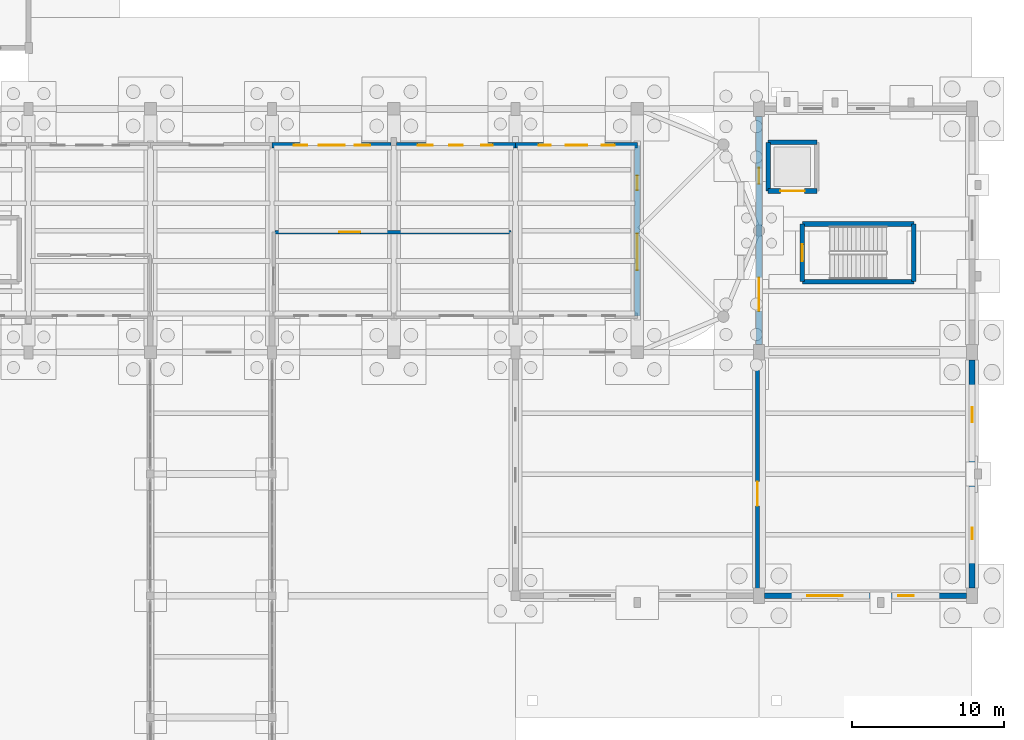
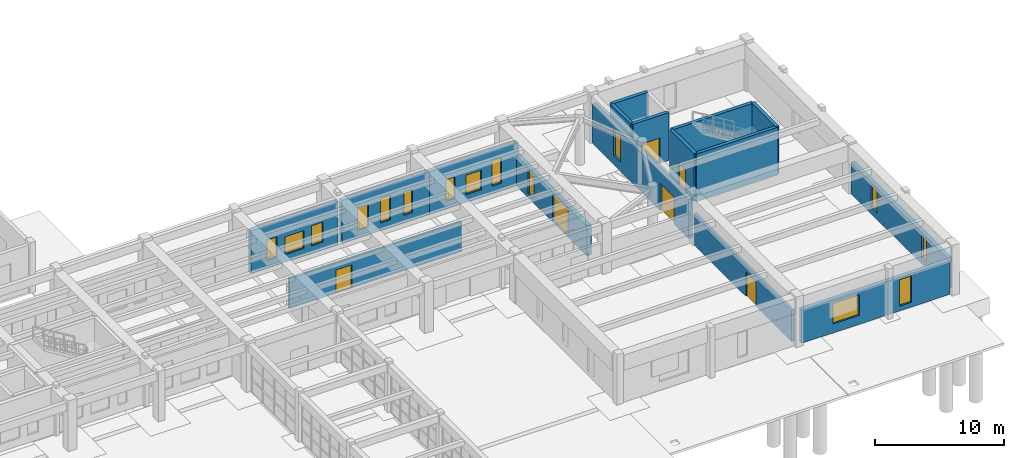
# One storey, part 53 of 68: 16 walls, 15 windows, 6 doors, 21 openings.
"""IFC4 building model written with IfcOpenShell, lengths in metres."""

import ifcopenshell
import ifcopenshell.guid

model = None  # the IFC model being written
_history = None  # IfcOwnerHistory: only IFC2X3 demands one
_inside = {}  # id of a spatial element -> (the spatial element, [elements in it])
_under = {}  # id of a project, library or spatial element -> (it, [spatial elements below it])
_declared = {}  # id of a project -> (the project, [libraries it declares])
_typed = {}  # id of a type object -> (the type object, [elements of that type])
_made_of = {}  # id of a material, layer set ... -> (it, [elements and type objects made of it])


def new_model(schema):
    """Start an empty IFC model of exactly this schema.

    Asked for "IFC4X3", IfcOpenShell would pick the latest addendum, in which some entities
    have other attributes; the version numbers below select the first issue.
    IFC2X3 requires an IfcOwnerHistory on every rooted entity: one is made here for all.
    """
    global model, _history
    if schema == "IFC4X3":
        model = ifcopenshell.file(schema_version=(4, 3, 0, 0))
    else:
        model = ifcopenshell.file(schema=schema)
    _inside.clear()
    _under.clear()
    _declared.clear()
    _typed.clear()
    _made_of.clear()
    _history = None
    if model.schema == "IFC2X3":
        org = make("IfcOrganization", Name="unknown")
        user = make(
            "IfcPersonAndOrganization",
            ThePerson=make("IfcPerson", FamilyName="unknown"),
            TheOrganization=org,
        )
        app = make(
            "IfcApplication",
            ApplicationDeveloper=org,
            Version="unknown",
            ApplicationFullName="unknown",
            ApplicationIdentifier="unknown",
        )
        _history = make(
            "IfcOwnerHistory",
            OwningUser=user,
            OwningApplication=app,
            ChangeAction="ADDED",
            CreationDate=0,
        )
    return model


def make(cls, **values):
    """One entity of the class cls with the attributes given. An attribute that is None is left unset."""
    return model.create_entity(
        cls, **{name: value for name, value in values.items() if value is not None}
    )


def rooted(cls, **values):
    """An entity with a GlobalId (a new one), such as an element, a storey or a relation."""
    return make(cls, GlobalId=ifcopenshell.guid.new(), OwnerHistory=_history, **values)


def si_unit(unit_type, name, prefix=None):
    """IfcSIUnit, for example si_unit("LENGTHUNIT", "METRE", prefix="MILLI")."""
    return make("IfcSIUnit", UnitType=unit_type, Prefix=prefix, Name=name)


def assignment(units):
    """IfcUnitAssignment: the units of a project."""
    return None if units is None else make("IfcUnitAssignment", Units=units)


def point(xyz):
    """IfcCartesianPoint."""
    return None if xyz is None else make("IfcCartesianPoint", Coordinates=xyz)


def direction(xyz):
    """IfcDirection."""
    return None if xyz is None else make("IfcDirection", DirectionRatios=xyz)


def frame(location, z_axis=None, x_axis=None):
    """IfcAxis2Placement3D, a coordinate frame: its origin and axes. An axis left out is left unset."""
    return make(
        "IfcAxis2Placement3D",
        Location=point(location),
        Axis=direction(z_axis),
        RefDirection=direction(x_axis),
    )


def frame_2d(location, x_axis=None):
    """IfcAxis2Placement2D, a coordinate frame in the plane: its origin and x axis."""
    return make(
        "IfcAxis2Placement2D", Location=point(location), RefDirection=direction(x_axis)
    )


def origin():
    """The frame at (0, 0, 0) with its axes left unset."""
    return frame((0.0, 0.0, 0.0))


def place(relative_to, where):
    """IfcLocalPlacement: puts the frame where relative to a parent placement (None: the world)."""
    return make(
        "IfcLocalPlacement", PlacementRelTo=relative_to, RelativePlacement=where
    )


def context(
    kind, dimensions, precision=None, world=None, true_north=None, identifier=None
):
    """IfcGeometricRepresentationContext, for example the 3D "Model" context."""
    return make(
        "IfcGeometricRepresentationContext",
        ContextIdentifier=identifier,
        ContextType=kind,
        CoordinateSpaceDimension=dimensions,
        Precision=precision,
        WorldCoordinateSystem=world,
        TrueNorth=true_north,
    )


def subcontext(parent, identifier, kind, view, scale=None):
    """IfcGeometricRepresentationSubContext, for example "Body" below "Model"."""
    return make(
        "IfcGeometricRepresentationSubContext",
        ContextIdentifier=identifier,
        ContextType=kind,
        ParentContext=parent,
        TargetScale=scale,
        TargetView=view,
    )


def project(units=None, contexts=None):
    """IfcProject with its units and contexts."""
    return rooted(
        "IfcProject",
        Name="project",
        RepresentationContexts=contexts,
        UnitsInContext=assignment(units),
    )


def spatial(cls, under=None, at=None, **own):
    """A site, building, storey or space (cls), placed at a placement, below another one or the project."""
    s = rooted(cls, ObjectPlacement=at, **own)
    if under is not None:
        _under.setdefault(under.id(), (under, []))[1].append(s)
    return s


def profile(cls, at=None, kind="AREA", **sizes):
    """A parametric profile (cls). Its sizes go by their IFC names, for example OverallWidth=200.0."""
    return make(cls, ProfileType=kind, Position=at, **sizes)


def rectangle(**sizes):
    """IfcRectangleProfileDef."""
    return profile("IfcRectangleProfileDef", **sizes)


def extrude(swept, where, along, depth):
    """IfcExtrudedAreaSolid: the profile swept, set in the frame where, extruded along a direction by depth."""
    return make(
        "IfcExtrudedAreaSolid",
        SweptArea=swept,
        Position=where,
        ExtrudedDirection=direction(along),
        Depth=depth,
    )


def shape(context_of_items, identifier, shape_type, items):
    """IfcShapeRepresentation: the items that make up one representation, for example the "Body"."""
    return make(
        "IfcShapeRepresentation",
        ContextOfItems=context_of_items,
        RepresentationIdentifier=identifier,
        RepresentationType=shape_type,
        Items=items,
    )


def material(Name=None, Category=None):
    """IfcMaterial."""
    return make("IfcMaterial", Name=Name, Category=Category)


def layer(
    of_material, thickness, ventilated=None, Name=None, Category=None, Priority=None
):
    """IfcMaterialLayer: one layer of a wall or slab, of a material (None: an air gap)."""
    return make(
        "IfcMaterialLayer",
        Material=of_material,
        LayerThickness=thickness,
        IsVentilated=ventilated,
        Name=Name,
        Category=Category,
        Priority=Priority,
    )


def layer_set(layers, Name=None):
    """IfcMaterialLayerSet."""
    return make("IfcMaterialLayerSet", MaterialLayers=layers, LayerSetName=Name)


def made_of(thing, what):
    """Note that an element or type object is made of a material, layer set ...; save() writes the relation."""
    if what is not None:
        _made_of.setdefault(what.id(), (what, []))[1].append(thing)
    return thing


def type_object(cls, material=None, **own):
    """A type object (cls), such as IfcWallType, which elements share."""
    return made_of(rooted(cls, **own), material)


def element(
    cls,
    number,
    at=None,
    inside=None,
    cuts=None,
    type_object=None,
    material=None,
    context=None,
    identifier="Body",
    shape_type=None,
    held_by="IfcProductDefinitionShape",
    body=None,
    shapes=None,
    **own,
):
    """One element of the class cls, such as IfcWall. Its Tag is "e" and its number.

    at: its placement. inside: the storey or other place that contains it. cuts: it is an
    opening in that element (IfcRelVoidsElement). A single representation is given by context,
    identifier, shape_type and body (its items); several are given by shapes. held_by: the class
    of the entity that holds the representations. save() writes the other relations.
    """
    e = rooted(cls, Tag="e%d" % number, ObjectPlacement=at, **own)
    if body is not None:
        shapes = [shape(context, identifier, shape_type, body)]
    if shapes is not None:
        e.Representation = make(held_by, Representations=shapes)
    if inside is not None:
        _inside.setdefault(inside.id(), (inside, []))[1].append(e)
    if cuts is not None:
        rooted(
            "IfcRelVoidsElement", RelatingBuildingElement=cuts, RelatedOpeningElement=e
        )
    if type_object is not None:
        _typed.setdefault(type_object.id(), (type_object, []))[1].append(e)
    return made_of(e, material)


def fill(opening, filler):
    """IfcRelFillsElement: the door or window that sits in an opening."""
    return rooted(
        "IfcRelFillsElement",
        RelatingOpeningElement=opening,
        RelatedBuildingElement=filler,
    )


def aggregate(whole, parts):
    """IfcRelAggregates: a whole, such as a stair, and the parts it consists of."""
    return rooted("IfcRelAggregates", RelatingObject=whole, RelatedObjects=parts)


def save(model, path):
    """Write the relations noted so far, then the file.

    IfcRelAggregates (storeys below a building ...), IfcRelContainedInSpatialStructure (elements
    in a storey), IfcRelDefinesByType, IfcRelAssociatesMaterial and IfcRelDeclares: one each for
    every whole, place, type object, material and project.
    """
    for whole, parts in _under.values():
        aggregate(whole, parts)
    for where, things in _inside.values():
        rooted(
            "IfcRelContainedInSpatialStructure",
            RelatedElements=things,
            RelatingStructure=where,
        )
    for kind, things in _typed.values():
        rooted("IfcRelDefinesByType", RelatedObjects=things, RelatingType=kind)
    for what, things in _made_of.values():
        rooted("IfcRelAssociatesMaterial", RelatedObjects=things, RelatingMaterial=what)
    for by, libraries in _declared.values():
        rooted("IfcRelDeclares", RelatingContext=by, RelatedDefinitions=libraries)
    model.write(path)


model = new_model("IFC4")

# Units and contexts
model_context = context("Model", 3, precision=1e-05, world=origin(), true_north=direction((0.0, 1.0)))
body_context = subcontext(model_context, "Body", "Model", "MODEL_VIEW")
ifc_project = project(units=[si_unit("LENGTHUNIT", "METRE"), si_unit("AREAUNIT", "SQUARE_METRE"), si_unit("VOLUMEUNIT", "CUBIC_METRE"), si_unit("PLANEANGLEUNIT", "RADIAN"), si_unit("MASSUNIT", "GRAM", prefix="KILO")], contexts=[model_context])

# Site, building, storey
site_placement = place(None, origin())
site = spatial("IfcSite", under=ifc_project, at=site_placement, CompositionType="ELEMENT")
building_placement = place(site_placement, origin())
building = spatial("IfcBuilding", under=site, at=building_placement, Name="Serraluz Foothill Cableway Terminal", CompositionType="ELEMENT")
storey_placement = place(building_placement, origin())
storey = spatial("IfcBuildingStorey", under=building, at=storey_placement, Name="L00", CompositionType="ELEMENT", Elevation=0.0)

# Wall, openings, windows
ifc_material_1 = material(Name="Dark clinker clay masonry brick (f'm 14 MPa)", Category="masonry")
ifc_layer_1 = layer(ifc_material_1, 0.3798828125, Name="Dark clinker clay masonry brick (f'm 14 MPa)", Category="masonry")
ifc_layer_set_1 = layer_set([ifc_layer_1], Name="Dark clinker clay masonry brick (f'm 14 MPa)")
wall_type_1 = type_object("IfcWallType", Name="TYP-WL-EXT-380", PredefinedType="STANDARD", material=ifc_layer_set_1)
wall_1_placement = place(storey_placement, frame((128.0, 69.60009765625, 0.0), z_axis=(0.0, 0.0, 1.0), x_axis=(1.0, 0.0, 0.0)))
wall_1 = element("IfcWall", 1, at=wall_1_placement, inside=storey, type_object=wall_type_1, Name="Exterior Masonry Wall EW-V1N-L00-128", PredefinedType="STANDARD", context=body_context, shape_type="SweptSolid", body=[
    extrude(rectangle(XDim=7.824951171875, YDim=0.3798828125, at=frame_2d((3.91259765625, 0.0))), origin(), (0.0, 0.0, 1.0), 4.050048828125),
])
opening_1_placement = place(wall_1_placement, frame((1.43798828125, 0.0, 0.719970703125)))
opening_1 = element("IfcOpeningElement", 2, at=opening_1_placement, cuts=wall_1, Name="Opening W-48", PredefinedType="OPENING", context=body_context, shape_type="SweptSolid", body=[
    extrude(rectangle(XDim=0.8798828125, YDim=1.949951171875, at=frame_2d((0.43994140625, 0.97509765625))), frame((0.0, 0.199951171875, 0.0), z_axis=(0.0, -1.0, 0.0), x_axis=(1.0, 0.0, 0.0)), (0.0, 0.0, 1.0), 0.39990234375),
])
opening_2_placement = place(wall_1_placement, frame((3.052001953125, 0.0, 0.719970703125)))
opening_2 = element("IfcOpeningElement", 3, at=opening_2_placement, cuts=wall_1, Name="Opening W-34", PredefinedType="OPENING", context=body_context, shape_type="SweptSolid", body=[
    extrude(rectangle(XDim=1.720947265625, YDim=1.699951171875, at=frame_2d((0.8603515625, 0.85009765625))), frame((0.0, 0.199951171875, 0.0), z_axis=(0.0, -1.0, 0.0), x_axis=(1.0, 0.0, 0.0)), (0.0, 0.0, 1.0), 0.39990234375),
])
opening_3_placement = place(wall_1_placement, frame((5.447021484375, 0.0, 0.719970703125)))
opening_3 = element("IfcOpeningElement", 4, at=opening_3_placement, cuts=wall_1, Name="Opening W-24", PredefinedType="OPENING", context=body_context, shape_type="SweptSolid", body=[
    extrude(rectangle(XDim=1.0, YDim=1.89990234375, at=frame_2d((0.5, 0.949951171875))), frame((0.0, 0.199951171875, 0.0), z_axis=(0.0, -1.0, 0.0), x_axis=(1.0, 0.0, 0.0)), (0.0, 0.0, 1.0), 0.39990234375),
])
ifc_material_2 = material(Name="Laminated low-E safety glass", Category="glass")
window_type_1 = type_object("IfcWindowType", Name="TYP-WN-088X195", PartitioningType="SINGLE_PANEL", PredefinedType="WINDOW", material=ifc_material_2)
window_1_placement = place(opening_1_placement, origin())
window_1 = element("IfcWindow", 5, at=window_1_placement, inside=storey, type_object=window_type_1, Name="Exterior Window EW-V1N-L00-128-WN1", OverallHeight=1.949951171875, OverallWidth=0.8798828125, PartitioningType="SINGLE_PANEL", PredefinedType="WINDOW", context=body_context, shape_type="SweptSolid", body=[
    extrude(rectangle(XDim=0.8798828125, YDim=1.949951171875, at=frame_2d((0.43994140625, 0.97509765625))), frame((0.0, 0.030029296875, 0.0), z_axis=(0.0, -1.0, 0.0), x_axis=(1.0, 0.0, 0.0)), (0.0, 0.0, 1.0), 0.06005859375),
])
fill(opening_1, window_1)
window_type_2 = type_object("IfcWindowType", Name="TYP-WN-100X190", PartitioningType="SINGLE_PANEL", PredefinedType="WINDOW", material=ifc_material_2)
window_2_placement = place(opening_3_placement, origin())
window_2 = element("IfcWindow", 6, at=window_2_placement, inside=storey, type_object=window_type_2, Name="Exterior Window EW-V1N-L00-128-WN3", OverallHeight=1.89990234375, OverallWidth=1.0, PartitioningType="SINGLE_PANEL", PredefinedType="WINDOW", context=body_context, shape_type="SweptSolid", body=[
    extrude(rectangle(XDim=1.0, YDim=1.89990234375, at=frame_2d((0.5, 0.949951171875))), frame((0.0, 0.030029296875, 0.0), z_axis=(0.0, -1.0, 0.0), x_axis=(1.0, 0.0, 0.0)), (0.0, 0.0, 1.0), 0.06005859375),
])
fill(opening_3, window_2)
window_type_3 = type_object("IfcWindowType", Name="TYP-WN-380X170", PartitioningType="TRIPLE_PANEL_VERTICAL", PredefinedType="WINDOW", material=ifc_material_2)
window_3_placement = place(opening_2_placement, origin())
window_3 = element("IfcWindow", 7, at=window_3_placement, inside=storey, type_object=window_type_3, Name="Exterior Window EW-V1N-L00-128-WN2", OverallHeight=1.699951171875, OverallWidth=1.720947265625, PartitioningType="SINGLE_PANEL", PredefinedType="WINDOW", context=body_context, shape_type="SweptSolid", body=[
    extrude(rectangle(XDim=1.720947265625, YDim=1.699951171875, at=frame_2d((0.8603515625, 0.85009765625))), frame((0.0, 0.030029296875, 0.0), z_axis=(0.0, -1.0, 0.0), x_axis=(1.0, 0.0, 0.0)), (0.0, 0.0, 1.0), 0.06005859375),
])
fill(opening_2, window_3)

wall_2_placement = place(storey_placement, frame((136.175048828125, 69.60009765625, 0.0), z_axis=(0.0, 0.0, 1.0), x_axis=(1.0, 0.0, 0.0)))
wall_2 = element("IfcWall", 8, at=wall_2_placement, inside=storey, type_object=wall_type_1, Name="Exterior Masonry Wall EW-V1N-L00-136", PredefinedType="STANDARD", context=body_context, shape_type="SweptSolid", body=[
    extrude(rectangle(XDim=7.824951171875, YDim=0.3798828125, at=frame_2d((3.91259765625, 0.0))), origin(), (0.0, 0.0, 1.0), 4.050048828125),
])
opening_4_placement = place(wall_2_placement, frame((1.387939453125, 0.0, 0.719970703125)))
opening_4 = element("IfcOpeningElement", 9, at=opening_4_placement, cuts=wall_2, Name="Opening W-49", PredefinedType="OPENING", context=body_context, shape_type="SweptSolid", body=[
    extrude(rectangle(XDim=0.97998046875, YDim=2.14990234375, at=frame_2d((0.489990234375, 1.074951171875))), frame((0.0, 0.199951171875, 0.0), z_axis=(0.0, -1.0, 0.0), x_axis=(1.0, 0.0, 0.0)), (0.0, 0.0, 1.0), 0.39990234375),
])
opening_5_placement = place(wall_2_placement, frame((3.46240234375, 0.0, 0.719970703125)))
opening_5 = element("IfcOpeningElement", 10, at=opening_5_placement, cuts=wall_2, Name="Opening W-37", PredefinedType="OPENING", context=body_context, shape_type="SweptSolid", body=[
    extrude(rectangle(XDim=0.89990234375, YDim=2.35009765625, at=frame_2d((0.449951171875, 1.175048828125))), frame((0.0, 0.199951171875, 0.0), z_axis=(0.0, -1.0, 0.0), x_axis=(1.0, 0.0, 0.0)), (0.0, 0.0, 1.0), 0.39990234375),
])
opening_6_placement = place(wall_2_placement, frame((5.572021484375, 0.0, 0.719970703125)))
opening_6 = element("IfcOpeningElement", 11, at=opening_6_placement, cuts=wall_2, Name="Opening W-01", PredefinedType="OPENING", context=body_context, shape_type="SweptSolid", body=[
    extrude(rectangle(XDim=0.75, YDim=2.199951171875, at=frame_2d((0.375, 1.10009765625))), frame((0.0, 0.199951171875, 0.0), z_axis=(0.0, -1.0, 0.0), x_axis=(1.0, 0.0, 0.0)), (0.0, 0.0, 1.0), 0.39990234375),
])
window_type_4 = type_object("IfcWindowType", Name="TYP-WN-075X220", PartitioningType="SINGLE_PANEL", PredefinedType="WINDOW", material=ifc_material_2)
window_4_placement = place(opening_6_placement, origin())
window_4 = element("IfcWindow", 12, at=window_4_placement, inside=storey, type_object=window_type_4, Name="Exterior Window EW-V1N-L00-136-WN3", OverallHeight=2.199951171875, OverallWidth=0.75, PartitioningType="SINGLE_PANEL", PredefinedType="WINDOW", context=body_context, shape_type="SweptSolid", body=[
    extrude(rectangle(XDim=0.75, YDim=2.199951171875, at=frame_2d((0.375, 1.10009765625))), frame((0.0, 0.030029296875, 0.0), z_axis=(0.0, -1.0, 0.0), x_axis=(1.0, 0.0, 0.0)), (0.0, 0.0, 1.0), 0.06005859375),
])
fill(opening_6, window_4)
window_type_5 = type_object("IfcWindowType", Name="TYP-WN-090X235", PartitioningType="SINGLE_PANEL", PredefinedType="WINDOW", material=ifc_material_2)
window_5_placement = place(opening_5_placement, origin())
window_5 = element("IfcWindow", 13, at=window_5_placement, inside=storey, type_object=window_type_5, Name="Exterior Window EW-V1N-L00-136-WN2", OverallHeight=2.35009765625, OverallWidth=0.89990234375, PartitioningType="SINGLE_PANEL", PredefinedType="WINDOW", context=body_context, shape_type="SweptSolid", body=[
    extrude(rectangle(XDim=0.89990234375, YDim=2.35009765625, at=frame_2d((0.449951171875, 1.175048828125))), frame((0.0, 0.030029296875, 0.0), z_axis=(0.0, -1.0, 0.0), x_axis=(1.0, 0.0, 0.0)), (0.0, 0.0, 1.0), 0.06005859375),
])
fill(opening_5, window_5)
window_type_6 = type_object("IfcWindowType", Name="TYP-WN-098X215", PartitioningType="SINGLE_PANEL", PredefinedType="WINDOW", material=ifc_material_2)
window_6_placement = place(opening_4_placement, origin())
window_6 = element("IfcWindow", 14, at=window_6_placement, inside=storey, type_object=window_type_6, Name="Exterior Window EW-V1N-L00-136-WN1", OverallHeight=2.14990234375, OverallWidth=0.97998046875, PartitioningType="SINGLE_PANEL", PredefinedType="WINDOW", context=body_context, shape_type="SweptSolid", body=[
    extrude(rectangle(XDim=0.97998046875, YDim=2.14990234375, at=frame_2d((0.489990234375, 1.074951171875))), frame((0.0, 0.030029296875, 0.0), z_axis=(0.0, -1.0, 0.0), x_axis=(1.0, 0.0, 0.0)), (0.0, 0.0, 1.0), 0.06005859375),
])
fill(opening_4, window_6)

wall_3_placement = place(storey_placement, frame((144.0, 69.60009765625, 0.0), z_axis=(0.0, 0.0, 1.0), x_axis=(1.0, 0.0, 0.0)))
wall_3 = element("IfcWall", 15, at=wall_3_placement, inside=storey, type_object=wall_type_1, Name="Exterior Masonry Wall EW-V1N-L00-144", PredefinedType="STANDARD", context=body_context, shape_type="SweptSolid", body=[
    extrude(rectangle(XDim=8.0, YDim=0.3798828125, at=frame_2d((4.0, 0.0))), origin(), (0.0, 0.0, 1.0), 4.050048828125),
])
opening_7_placement = place(wall_3_placement, frame((1.52001953125, 0.0, 0.719970703125)))
opening_7 = element("IfcOpeningElement", 16, at=opening_7_placement, cuts=wall_3, Name="Opening W-36", PredefinedType="OPENING", context=body_context, shape_type="SweptSolid", body=[
    extrude(rectangle(XDim=0.800048828125, YDim=2.050048828125, at=frame_2d((0.39990234375, 1.02490234375))), frame((0.0, 0.199951171875, 0.0), z_axis=(0.0, -1.0, 0.0), x_axis=(1.0, 0.0, 0.0)), (0.0, 0.0, 1.0), 0.39990234375),
])
opening_8_placement = place(wall_3_placement, frame((3.300048828125, 0.0, 0.719970703125)))
opening_8 = element("IfcOpeningElement", 17, at=opening_8_placement, cuts=wall_3, Name="Opening W-41", PredefinedType="OPENING", context=body_context, shape_type="SweptSolid", body=[
    extrude(rectangle(XDim=1.39990234375, YDim=1.85009765625, at=frame_2d((0.699951171875, 0.925048828125))), frame((0.0, 0.199951171875, 0.0), z_axis=(0.0, -1.0, 0.0), x_axis=(1.0, 0.0, 0.0)), (0.0, 0.0, 1.0), 0.39990234375),
])
opening_9_placement = place(wall_3_placement, frame((5.655029296875, 0.0, 0.719970703125)))
opening_9 = element("IfcOpeningElement", 18, at=opening_9_placement, cuts=wall_3, Name="Opening W-02", PredefinedType="OPENING", context=body_context, shape_type="SweptSolid", body=[
    extrude(rectangle(XDim=0.85009765625, YDim=2.39990234375, at=frame_2d((0.425048828125, 1.199951171875))), frame((0.0, 0.199951171875, 0.0), z_axis=(0.0, -1.0, 0.0), x_axis=(1.0, 0.0, 0.0)), (0.0, 0.0, 1.0), 0.39990234375),
])
window_type_7 = type_object("IfcWindowType", Name="TYP-WN-080X205", PartitioningType="SINGLE_PANEL", PredefinedType="WINDOW", material=ifc_material_2)
window_7_placement = place(opening_7_placement, origin())
window_7 = element("IfcWindow", 19, at=window_7_placement, inside=storey, type_object=window_type_7, Name="Exterior Window EW-V1N-L00-144-WN1", OverallHeight=2.050048828125, OverallWidth=0.800048828125, PartitioningType="SINGLE_PANEL", PredefinedType="WINDOW", context=body_context, shape_type="SweptSolid", body=[
    extrude(rectangle(XDim=0.800048828125, YDim=2.050048828125, at=frame_2d((0.39990234375, 1.02490234375))), frame((0.0, 0.030029296875, 0.0), z_axis=(0.0, -1.0, 0.0), x_axis=(1.0, 0.0, 0.0)), (0.0, 0.0, 1.0), 0.06005859375),
])
fill(opening_7, window_7)
window_type_8 = type_object("IfcWindowType", Name="TYP-WN-085X240", PartitioningType="SINGLE_PANEL", PredefinedType="WINDOW", material=ifc_material_2)
window_8_placement = place(opening_9_placement, origin())
window_8 = element("IfcWindow", 20, at=window_8_placement, inside=storey, type_object=window_type_8, Name="Exterior Window EW-V1N-L00-144-WN3", OverallHeight=2.39990234375, OverallWidth=0.85009765625, PartitioningType="SINGLE_PANEL", PredefinedType="WINDOW", context=body_context, shape_type="SweptSolid", body=[
    extrude(rectangle(XDim=0.85009765625, YDim=2.39990234375, at=frame_2d((0.425048828125, 1.199951171875))), frame((0.0, 0.030029296875, 0.0), z_axis=(0.0, -1.0, 0.0), x_axis=(1.0, 0.0, 0.0)), (0.0, 0.0, 1.0), 0.06005859375),
])
fill(opening_9, window_8)
window_type_9 = type_object("IfcWindowType", Name="TYP-WN-140X185", PartitioningType="DOUBLE_PANEL_VERTICAL", PredefinedType="WINDOW", material=ifc_material_2)
window_9_placement = place(opening_8_placement, origin())
window_9 = element("IfcWindow", 21, at=window_9_placement, inside=storey, type_object=window_type_9, Name="Exterior Window EW-V1N-L00-144-WN2", OverallHeight=1.85009765625, OverallWidth=1.39990234375, PartitioningType="SINGLE_PANEL", PredefinedType="WINDOW", context=body_context, shape_type="SweptSolid", body=[
    extrude(rectangle(XDim=1.39990234375, YDim=1.85009765625, at=frame_2d((0.699951171875, 0.925048828125))), frame((0.0, 0.030029296875, 0.0), z_axis=(0.0, -1.0, 0.0), x_axis=(1.0, 0.0, 0.0)), (0.0, 0.0, 1.0), 0.06005859375),
])
fill(opening_8, window_9)

# Wall, openings, door, window
wall_4_placement = place(storey_placement, frame((152.0, 69.60009765625, 0.0), z_axis=(0.0, 0.0, 1.0), x_axis=(0.0, -1.0, 0.0)))
wall_4 = element("IfcWall", 22, at=wall_4_placement, inside=storey, type_object=wall_type_1, Name="Exterior Masonry Wall EW-V1E-L00-PORTAL", PredefinedType="STANDARD", context=body_context, shape_type="SweptSolid", body=[
    extrude(rectangle(XDim=11.2001953125, YDim=0.3798828125, at=frame_2d((5.60009765625, 0.0))), origin(), (0.0, 0.0, 1.0), 2.85009765625),
])
opening_10_placement = place(wall_4_placement, frame((1.989013671875, 0.0, 0.35009765625)))
opening_10 = element("IfcOpeningElement", 23, at=opening_10_placement, cuts=wall_4, Name="Opening W-03", PredefinedType="OPENING", context=body_context, shape_type="SweptSolid", body=[
    extrude(rectangle(XDim=0.949951171875, YDim=2.320068359375, at=frame_2d((0.47509765625, 1.16015625))), frame((0.0, 0.199951171875, 0.0), z_axis=(0.0, -1.0, 0.0), x_axis=(1.0, 0.0, 0.0)), (0.0, 0.0, 1.0), 0.39990234375),
])
opening_11_placement = place(wall_4_placement, frame((5.800048828125, 0.0, 0.0)))
opening_11 = element("IfcOpeningElement", 24, at=opening_11_placement, cuts=wall_4, Name="Opening DE-03", PredefinedType="OPENING", context=body_context, shape_type="SweptSolid", body=[
    extrude(rectangle(XDim=2.39990234375, YDim=2.699951171875, at=frame_2d((1.199951171875, 1.35009765625))), frame((0.0, 0.199951171875, 0.0), z_axis=(0.0, -1.0, 0.0), x_axis=(1.0, 0.0, 0.0)), (0.0, 0.0, 1.0), 0.39990234375),
])
ifc_material_3 = material(Name="Architectural bronze alloy C28000", Category="aluminium")
door_type_1 = type_object("IfcDoorType", Name="TYP-DR-EX-2400", OperationType="DOUBLE_DOOR_SINGLE_SWING", PredefinedType="DOOR", material=ifc_material_3)
door_1_placement = place(opening_11_placement, origin())
door_1 = element("IfcDoor", 25, at=door_1_placement, inside=storey, type_object=door_type_1, Name="Main pedestrian exit door D-EX07", OperationType="DOUBLE_DOOR_SINGLE_SWING", OverallHeight=2.699951171875, OverallWidth=2.39990234375, PredefinedType="DOOR", context=body_context, shape_type="SweptSolid", body=[
    extrude(rectangle(XDim=2.39990234375, YDim=2.699951171875, at=frame_2d((1.199951171875, 1.35009765625))), frame((0.0, 0.02490234375, 0.0), z_axis=(0.0, -1.0, 0.0), x_axis=(1.0, 0.0, 0.0)), (0.0, 0.0, 1.0), 0.050048828125),
])
fill(opening_11, door_1)
window_type_10 = type_object("IfcWindowType", Name="TYP-WN-095X260", PartitioningType="SINGLE_PANEL", PredefinedType="WINDOW", material=ifc_material_2)
window_10_placement = place(opening_10_placement, origin())
window_10 = element("IfcWindow", 26, at=window_10_placement, inside=storey, type_object=window_type_10, Name="Exterior Window EW-V1E-L00-PORTAL-WN1", OverallHeight=2.320068359375, OverallWidth=0.949951171875, PartitioningType="SINGLE_PANEL", PredefinedType="WINDOW", context=body_context, shape_type="SweptSolid", body=[
    extrude(rectangle(XDim=0.949951171875, YDim=2.320068359375, at=frame_2d((0.47509765625, 1.16015625))), frame((0.0, 0.030029296875, 0.0), z_axis=(0.0, -1.0, 0.0), x_axis=(1.0, 0.0, 0.0)), (0.0, 0.0, 1.0), 0.06005859375),
])
fill(opening_10, window_10)

# Wall, openings, windows
wall_5_placement = place(storey_placement, frame((173.64990234375, 40.0, 0.0), z_axis=(0.0, 0.0, 1.0), x_axis=(-1.0, 0.0, 0.0)))
wall_5 = element("IfcWall", 27, at=wall_5_placement, inside=storey, type_object=wall_type_1, Name="Exterior Masonry Wall EW-V2-L00-01", PredefinedType="STANDARD", context=body_context, shape_type="SweptSolid", body=[
    extrude(rectangle(XDim=13.2998046875, YDim=0.3798828125, at=frame_2d((6.64990234375, 0.0))), origin(), (0.0, 0.0, 1.0), 3.169921875),
])
opening_12_placement = place(wall_5_placement, frame((3.465087890625, 0.0, 0.449951171875)))
opening_12 = element("IfcOpeningElement", 28, at=opening_12_placement, cuts=wall_5, Name="Opening W-38", PredefinedType="OPENING", context=body_context, shape_type="SweptSolid", body=[
    extrude(rectangle(XDim=1.050048828125, YDim=2.5, at=frame_2d((0.52490234375, 1.25))), frame((0.0, 0.199951171875, 0.0), z_axis=(0.0, -1.0, 0.0), x_axis=(1.0, 0.0, 0.0)), (0.0, 0.0, 1.0), 0.39990234375),
])
opening_13_placement = place(wall_5_placement, frame((8.135009765625, 0.0, 0.85009765625)))
opening_13 = element("IfcOpeningElement", 29, at=opening_13_placement, cuts=wall_5, Name="Opening W-46", PredefinedType="OPENING", context=body_context, shape_type="SweptSolid", body=[
    extrude(rectangle(XDim=2.35009765625, YDim=1.949951171875, at=frame_2d((1.175048828125, 0.97509765625))), frame((0.0, 0.199951171875, 0.0), z_axis=(0.0, -1.0, 0.0), x_axis=(1.0, 0.0, 0.0)), (0.0, 0.0, 1.0), 0.39990234375),
])
window_type_11 = type_object("IfcWindowType", Name="TYP-WN-105X250", PartitioningType="SINGLE_PANEL", PredefinedType="WINDOW", material=ifc_material_2)
window_11_placement = place(opening_12_placement, origin())
window_11 = element("IfcWindow", 30, at=window_11_placement, inside=storey, type_object=window_type_11, Name="Exterior Window EW-V2-L00-01-WN1", OverallHeight=2.5, OverallWidth=1.050048828125, PartitioningType="SINGLE_PANEL", PredefinedType="WINDOW", context=body_context, shape_type="SweptSolid", body=[
    extrude(rectangle(XDim=1.050048828125, YDim=2.5, at=frame_2d((0.52490234375, 1.25))), frame((0.0, 0.030029296875, 0.0), z_axis=(0.0, -1.0, 0.0), x_axis=(1.0, 0.0, 0.0)), (0.0, 0.0, 1.0), 0.06005859375),
])
fill(opening_12, window_11)
window_type_12 = type_object("IfcWindowType", Name="TYP-WN-235X195", PartitioningType="TRIPLE_PANEL_VERTICAL", PredefinedType="WINDOW", material=ifc_material_2)
window_12_placement = place(opening_13_placement, origin())
window_12 = element("IfcWindow", 31, at=window_12_placement, inside=storey, type_object=window_type_12, Name="Exterior Window EW-V2-L00-01-WN2", OverallHeight=1.949951171875, OverallWidth=2.35009765625, PartitioningType="SINGLE_PANEL", PredefinedType="WINDOW", context=body_context, shape_type="SweptSolid", body=[
    extrude(rectangle(XDim=2.35009765625, YDim=1.949951171875, at=frame_2d((1.175048828125, 0.97509765625))), frame((0.0, 0.030029296875, 0.0), z_axis=(0.0, -1.0, 0.0), x_axis=(1.0, 0.0, 0.0)), (0.0, 0.0, 1.0), 0.06005859375),
])
fill(opening_13, window_12)

# Wall, openings, door, window
wall_6_placement = place(storey_placement, frame((160.0, 56.5, 0.0), z_axis=(0.0, 0.0, 1.0), x_axis=(0.0, 1.0, 0.0)))
wall_6 = element("IfcWall", 32, at=wall_6_placement, inside=storey, type_object=wall_type_1, Name="Exterior Masonry Wall EW-V2-L00-04", PredefinedType="STANDARD", context=body_context, shape_type="SweptSolid", body=[
    extrude(rectangle(XDim=15.0, YDim=0.3798828125, at=frame_2d((7.5, 0.0))), origin(), (0.0, 0.0, 1.0), 3.699951171875),
])
opening_14_placement = place(wall_6_placement, frame((10.574951171875, 0.0, 0.85009765625)))
opening_14 = element("IfcOpeningElement", 33, at=opening_14_placement, cuts=wall_6, Name="Opening W-38", PredefinedType="OPENING", context=body_context, shape_type="SweptSolid", body=[
    extrude(rectangle(XDim=1.050048828125, YDim=2.5, at=frame_2d((0.52490234375, 1.25))), frame((0.0, 0.199951171875, 0.0), z_axis=(0.0, -1.0, 0.0), x_axis=(1.0, 0.0, 0.0)), (0.0, 0.0, 1.0), 0.39990234375),
])
opening_15_placement = place(wall_6_placement, frame((2.199951171875, 0.0, 0.0)))
opening_15 = element("IfcOpeningElement", 34, at=opening_15_placement, cuts=wall_6, Name="Opening DE-02", PredefinedType="OPENING", context=body_context, shape_type="SweptSolid", body=[
    extrude(rectangle(XDim=2.199951171875, YDim=2.60009765625, at=frame_2d((1.10009765625, 1.300048828125))), frame((0.0, 0.199951171875, 0.0), z_axis=(0.0, -1.0, 0.0), x_axis=(1.0, 0.0, 0.0)), (0.0, 0.0, 1.0), 0.39990234375),
])
door_type_2 = type_object("IfcDoorType", Name="TYP-DR-EX-2200", OperationType="DOUBLE_DOOR_SINGLE_SWING", PredefinedType="DOOR", material=ifc_material_3)
door_2_placement = place(opening_15_placement, origin())
door_2 = element("IfcDoor", 35, at=door_2_placement, inside=storey, type_object=door_type_2, Name="Main pedestrian exit door D-EX08", OperationType="DOUBLE_DOOR_SINGLE_SWING", OverallHeight=2.60009765625, OverallWidth=2.199951171875, PredefinedType="DOOR", context=body_context, shape_type="SweptSolid", body=[
    extrude(rectangle(XDim=2.199951171875, YDim=2.60009765625, at=frame_2d((1.10009765625, 1.300048828125))), frame((0.0, 0.02490234375, 0.0), z_axis=(0.0, -1.0, 0.0), x_axis=(1.0, 0.0, 0.0)), (0.0, 0.0, 1.0), 0.050048828125),
])
fill(opening_15, door_2)
window_13_placement = place(opening_14_placement, origin())
window_13 = element("IfcWindow", 36, at=window_13_placement, inside=storey, type_object=window_type_11, Name="Exterior Window EW-V2-L00-04-WN1", OverallHeight=2.5, OverallWidth=1.050048828125, PartitioningType="SINGLE_PANEL", PredefinedType="WINDOW", context=body_context, shape_type="SweptSolid", body=[
    extrude(rectangle(XDim=1.050048828125, YDim=2.5, at=frame_2d((0.52490234375, 1.25))), frame((0.0, 0.030029296875, 0.0), z_axis=(0.0, -1.0, 0.0), x_axis=(1.0, 0.0, 0.0)), (0.0, 0.0, 1.0), 0.06005859375),
])
fill(opening_14, window_13)

# Wall, openings, windows
wall_7_placement = place(storey_placement, frame((174.0, 55.5, 0.0), z_axis=(0.0, 0.0, 1.0), x_axis=(0.0, -1.0, 0.0)))
wall_7 = element("IfcWall", 37, at=wall_7_placement, inside=storey, type_object=wall_type_1, Name="Exterior Masonry Wall EW-V2-L00-08", PredefinedType="STANDARD", context=body_context, shape_type="SweptSolid", body=[
    extrude(rectangle(XDim=15.0, YDim=0.3798828125, at=frame_2d((7.5, 0.0))), origin(), (0.0, 0.0, 1.0), 2.969970703125),
])
opening_16_placement = place(wall_7_placement, frame((3.110107421875, 0.0, 0.60009765625)))
opening_16 = element("IfcOpeningElement", 38, at=opening_16_placement, cuts=wall_7, Name="Opening W-49", PredefinedType="OPENING", context=body_context, shape_type="SweptSolid", body=[
    extrude(rectangle(XDim=0.97998046875, YDim=2.14990234375, at=frame_2d((0.489990234375, 1.074951171875))), frame((0.0, 0.199951171875, 0.0), z_axis=(0.0, -1.0, 0.0), x_axis=(1.0, 0.0, 0.0)), (0.0, 0.0, 1.0), 0.39990234375),
])
opening_17_placement = place(wall_7_placement, frame((11.02490234375, 0.0, 0.550048828125)))
opening_17 = element("IfcOpeningElement", 39, at=opening_17_placement, cuts=wall_7, Name="Opening W-01", PredefinedType="OPENING", context=body_context, shape_type="SweptSolid", body=[
    extrude(rectangle(XDim=0.75, YDim=2.199951171875, at=frame_2d((0.375, 1.10009765625))), frame((0.0, 0.199951171875, 0.0), z_axis=(0.0, -1.0, 0.0), x_axis=(1.0, 0.0, 0.0)), (0.0, 0.0, 1.0), 0.39990234375),
])
window_14_placement = place(opening_17_placement, origin())
window_14 = element("IfcWindow", 40, at=window_14_placement, inside=storey, type_object=window_type_4, Name="Exterior Window EW-V2-L00-08-WN3", OverallHeight=2.199951171875, OverallWidth=0.75, PartitioningType="SINGLE_PANEL", PredefinedType="WINDOW", context=body_context, shape_type="SweptSolid", body=[
    extrude(rectangle(XDim=0.75, YDim=2.199951171875, at=frame_2d((0.375, 1.10009765625))), frame((0.0, 0.030029296875, 0.0), z_axis=(0.0, -1.0, 0.0), x_axis=(1.0, 0.0, 0.0)), (0.0, 0.0, 1.0), 0.06005859375),
])
fill(opening_17, window_14)
window_15_placement = place(opening_16_placement, origin())
window_15 = element("IfcWindow", 41, at=window_15_placement, inside=storey, type_object=window_type_6, Name="Exterior Window EW-V2-L00-08-WN1", OverallHeight=2.14990234375, OverallWidth=0.97998046875, PartitioningType="SINGLE_PANEL", PredefinedType="WINDOW", context=body_context, shape_type="SweptSolid", body=[
    extrude(rectangle(XDim=0.97998046875, YDim=2.14990234375, at=frame_2d((0.489990234375, 1.074951171875))), frame((0.0, 0.030029296875, 0.0), z_axis=(0.0, -1.0, 0.0), x_axis=(1.0, 0.0, 0.0)), (0.0, 0.0, 1.0), 0.06005859375),
])
fill(opening_16, window_15)

# Wall, opening, door
ifc_material_4 = material(Name="Concrete C28/35 (f'c 28 MPa)", Category="concrete")
ifc_layer_2 = layer(ifc_material_4, 0.219970703125, Name="Concrete C28/35 (f'c 28 MPa)", Category="concrete")
ifc_layer_set_2 = layer_set([ifc_layer_2], Name="Concrete C28/35 (f'c 28 MPa)")
wall_type_2 = type_object("IfcWallType", Name="TYP-WL-PRT-220", PredefinedType="PARTITIONING", material=ifc_layer_set_2)
wall_8_placement = place(storey_placement, frame((128.199951171875, 63.89990234375, 0.0), z_axis=(0.0, 0.0, 1.0), x_axis=(1.0, 0.0, 0.0)))
wall_8 = element("IfcWall", 42, at=wall_8_placement, inside=storey, type_object=wall_type_2, Name="Interior Partition PT-L00-06", PredefinedType="PARTITIONING", context=body_context, shape_type="SweptSolid", body=[
    extrude(rectangle(XDim=15.5, YDim=0.219970703125, at=frame_2d((7.75, 0.0))), origin(), (0.0, 0.0, 1.0), 2.842041015625),
])
opening_18_placement = place(wall_8_placement, frame((4.199951171875, 0.0, 0.0)))
opening_18 = element("IfcOpeningElement", 43, at=opening_18_placement, cuts=wall_8, Name="Opening DF-09", PredefinedType="OPENING", context=body_context, shape_type="SweptSolid", body=[
    extrude(rectangle(XDim=1.39990234375, YDim=2.199951171875, at=frame_2d((0.699951171875, 1.10009765625))), frame((0.0, 0.1201171875, 0.0), z_axis=(0.0, -1.0, 0.0), x_axis=(1.0, 0.0, 0.0)), (0.0, 0.0, 1.0), 0.239990234375),
])
ifc_material_5 = material(Name="Galvanized hollow-metal steel sheet", Category="steel")
door_type_3 = type_object("IfcDoorType", Name="TYP-DR-FD60-1400", OperationType="DOUBLE_DOOR_SINGLE_SWING", PredefinedType="DOOR", material=ifc_material_5)
door_3_placement = place(opening_18_placement, origin())
door_3 = element("IfcDoor", 44, at=door_3_placement, inside=storey, type_object=door_type_3, Name="Interior Door PT-L00-06-DR1", OperationType="DOUBLE_DOOR_SINGLE_SWING", OverallHeight=2.199951171875, OverallWidth=1.39990234375, PredefinedType="DOOR", context=body_context, shape_type="SweptSolid", body=[
    extrude(rectangle(XDim=1.39990234375, YDim=2.199951171875, at=frame_2d((0.699951171875, 1.10009765625))), frame((0.0, 0.02490234375, 0.0), z_axis=(0.0, -1.0, 0.0), x_axis=(1.0, 0.0, 0.0)), (0.0, 0.0, 1.0), 0.050048828125),
])
fill(opening_18, door_3)

ifc_material_6 = material(Name="Concrete C35/45 (f'c 35 MPa)", Category="concrete")
ifc_layer_3 = layer(ifc_material_6, 0.25, Name="Concrete C35/45 (f'c 35 MPa)", Category="concrete")
ifc_layer_set_3 = layer_set([ifc_layer_3], Name="Concrete C35/45 (f'c 35 MPa)")
wall_type_3 = type_object("IfcWallType", Name="TYP-WL-PRT-250", PredefinedType="PARTITIONING", material=ifc_layer_set_3)
wall_9_placement = place(storey_placement, frame((159.89990234375, 40.39990234375, 0.0), z_axis=(0.0, 0.0, 1.0), x_axis=(0.0, 1.0, 0.0)))
wall_9 = element("IfcWall", 45, at=wall_9_placement, inside=storey, type_object=wall_type_3, Name="Interior Partition PT-L00-08", PredefinedType="PARTITIONING", context=body_context, shape_type="SweptSolid", body=[
    extrude(rectangle(XDim=15.2001953125, YDim=0.25, at=frame_2d((7.60009765625, 0.0))), origin(), (0.0, 0.0, 1.0), 2.9619140625),
])
opening_19_placement = place(wall_9_placement, frame((5.5, 0.0, 0.0)))
opening_19 = element("IfcOpeningElement", 46, at=opening_19_placement, cuts=wall_9, Name="Opening DF-10", PredefinedType="OPENING", context=body_context, shape_type="SweptSolid", body=[
    extrude(rectangle(XDim=1.60009765625, YDim=2.300048828125, at=frame_2d((0.800048828125, 1.14990234375))), frame((0.0, 0.135009765625, 0.0), z_axis=(0.0, -1.0, 0.0), x_axis=(1.0, 0.0, 0.0)), (0.0, 0.0, 1.0), 0.27001953125),
])
door_type_4 = type_object("IfcDoorType", Name="TYP-DR-FD60-1600", OperationType="DOUBLE_DOOR_SINGLE_SWING", PredefinedType="DOOR", material=ifc_material_5)
door_4_placement = place(opening_19_placement, origin())
door_4 = element("IfcDoor", 47, at=door_4_placement, inside=storey, type_object=door_type_4, Name="Interior Door PT-L00-08-DR1", OperationType="DOUBLE_DOOR_SINGLE_SWING", OverallHeight=2.300048828125, OverallWidth=1.60009765625, PredefinedType="DOOR", context=body_context, shape_type="SweptSolid", body=[
    extrude(rectangle(XDim=1.60009765625, YDim=2.300048828125, at=frame_2d((0.800048828125, 1.14990234375))), frame((0.0, 0.02490234375, 0.0), z_axis=(0.0, -1.0, 0.0), x_axis=(1.0, 0.0, 0.0)), (0.0, 0.0, 1.0), 0.050048828125),
])
fill(opening_19, door_4)

# Wall
ifc_layer_4 = layer(ifc_material_6, 0.300048828125, Name="Concrete C35/45 (f'c 35 MPa)", Category="concrete")
ifc_layer_set_4 = layer_set([ifc_layer_4], Name="Concrete C35/45 (f'c 35 MPa)")
wall_type_4 = type_object("IfcWallType", Name="TYP-WL-SHR-350", PredefinedType="SHEAR", material=ifc_layer_set_4)
wall_10_placement = place(storey_placement, frame((170.175048828125, 60.64990234375, 0.0), z_axis=(0.0, 0.0, 1.0), x_axis=(-1.0, 0.0, 0.0)))
element("IfcWall", 48, at=wall_10_placement, inside=storey, type_object=wall_type_4, Name="Stair Core Shear Wall CW-ST-05-L00-S", PredefinedType="SHEAR", context=body_context, shape_type="SweptSolid", body=[
    extrude(rectangle(XDim=7.324951171875, YDim=0.300048828125, at=frame_2d((3.66259765625, 0.0))), origin(), (0.0, 0.0, 1.0), 4.5400390625),
])

# Wall, opening, door
wall_11_placement = place(storey_placement, frame((162.85009765625, 60.64990234375, 0.0), z_axis=(0.0, 0.0, 1.0), x_axis=(0.0, 1.0, 0.0)))
wall_11 = element("IfcWall", 49, at=wall_11_placement, inside=storey, type_object=wall_type_4, Name="Stair Core Shear Wall CW-ST-05-L00-W", PredefinedType="SHEAR", context=body_context, shape_type="SweptSolid", body=[
    extrude(rectangle(XDim=3.780029296875, YDim=0.300048828125, at=frame_2d((1.89013671875, 0.0))), origin(), (0.0, 0.0, 1.0), 4.5400390625),
])
opening_20_placement = place(wall_11_placement, frame((1.340087890625, 0.0, 0.0)))
opening_20 = element("IfcOpeningElement", 50, at=opening_20_placement, cuts=wall_11, Name="Opening DF-07", PredefinedType="OPENING", context=body_context, shape_type="SweptSolid", body=[
    extrude(rectangle(XDim=1.10009765625, YDim=2.199951171875, at=frame_2d((0.550048828125, 1.10009765625))), frame((0.0, 0.16015625, 0.0), z_axis=(0.0, -1.0, 0.0), x_axis=(1.0, 0.0, 0.0)), (0.0, 0.0, 1.0), 0.320068359375),
])
door_type_5 = type_object("IfcDoorType", Name="TYP-DR-FD60-1100", OperationType="NOTDEFINED", PredefinedType="DOOR", material=ifc_material_5)
door_5_placement = place(opening_20_placement, origin())
door_5 = element("IfcDoor", 51, at=door_5_placement, inside=storey, type_object=door_type_5, Name="Exit Stair Fire Door ST-05 L00", OperationType="SINGLE_SWING_RIGHT", OverallHeight=2.199951171875, OverallWidth=1.10009765625, PredefinedType="DOOR", context=body_context, shape_type="SweptSolid", body=[
    extrude(rectangle(XDim=1.10009765625, YDim=2.199951171875, at=frame_2d((0.550048828125, 1.10009765625))), frame((0.0, 0.02490234375, 0.0), z_axis=(0.0, -1.0, 0.0), x_axis=(1.0, 0.0, 0.0)), (0.0, 0.0, 1.0), 0.050048828125),
])
fill(opening_20, door_5)

# Walls
wall_12_placement = place(storey_placement, frame((162.85009765625, 64.429931640625, 0.0), z_axis=(0.0, 0.0, 1.0), x_axis=(1.0, 0.0, 0.0)))
element("IfcWall", 52, at=wall_12_placement, inside=storey, type_object=wall_type_4, Name="Stair Core Shear Wall CW-ST-05-L00-N", PredefinedType="SHEAR", context=body_context, shape_type="SweptSolid", body=[
    extrude(rectangle(XDim=7.324951171875, YDim=0.300048828125, at=frame_2d((3.66259765625, 0.0))), origin(), (0.0, 0.0, 1.0), 4.5400390625),
])
wall_13_placement = place(storey_placement, frame((170.175048828125, 64.429931640625, 0.0), z_axis=(0.0, 0.0, 1.0), x_axis=(0.0, -1.0, 0.0)))
element("IfcWall", 53, at=wall_13_placement, inside=storey, type_object=wall_type_4, Name="Stair Core Shear Wall CW-ST-05-L00-E", PredefinedType="SHEAR", context=body_context, shape_type="SweptSolid", body=[
    extrude(rectangle(XDim=3.780029296875, YDim=0.300048828125, at=frame_2d((1.89013671875, 0.0))), origin(), (0.0, 0.0, 1.0), 4.5400390625),
])

# Wall, opening, door
wall_14_placement = place(storey_placement, frame((163.800048828125, 66.60009765625, 0.0), z_axis=(0.0, 0.0, 1.0), x_axis=(-1.0, 0.0, 0.0)))
wall_14 = element("IfcWall", 54, at=wall_14_placement, inside=storey, type_object=wall_type_4, Name="Lift Shaft Shear Wall LW-LF-05-L00-S", PredefinedType="SHEAR", context=body_context, shape_type="SweptSolid", body=[
    extrude(rectangle(XDim=3.199951171875, YDim=0.300048828125, at=frame_2d((1.60009765625, 0.0))), origin(), (0.0, 0.0, 1.0), 4.5400390625),
])
opening_21_placement = place(wall_14_placement, frame((0.800048828125, 0.0, 0.0)))
opening_21 = element("IfcOpeningElement", 55, at=opening_21_placement, cuts=wall_14, Name="Opening LD-03", PredefinedType="OPENING", context=body_context, shape_type="SweptSolid", body=[
    extrude(rectangle(XDim=1.60009765625, YDim=2.39990234375, at=frame_2d((0.800048828125, 1.199951171875))), frame((0.0, 0.16015625, 0.0), z_axis=(0.0, -1.0, 0.0), x_axis=(1.0, 0.0, 0.0)), (0.0, 0.0, 1.0), 0.320068359375),
])
door_type_6 = type_object("IfcDoorType", Name="TYP-DR-LD-1600", OperationType="DOUBLE_DOOR_SLIDING", PredefinedType="DOOR", material=ifc_material_5)
door_6_placement = place(opening_21_placement, origin())
door_6 = element("IfcDoor", 56, at=door_6_placement, inside=storey, type_object=door_type_6, Name="Lift Sliding Landing Door LF-05 L00", OperationType="DOUBLE_DOOR_SLIDING", OverallHeight=2.39990234375, OverallWidth=1.60009765625, PredefinedType="DOOR", context=body_context, shape_type="SweptSolid", body=[
    extrude(rectangle(XDim=1.60009765625, YDim=2.39990234375, at=frame_2d((0.800048828125, 1.199951171875))), frame((0.0, 0.02490234375, 0.0), z_axis=(0.0, -1.0, 0.0), x_axis=(1.0, 0.0, 0.0)), (0.0, 0.0, 1.0), 0.050048828125),
])
fill(opening_21, door_6)

# Walls
for number, where, z_axis, x_axis, name in (
    (57, (160.60009765625, 66.60009765625, 0.0), (0.0, 0.0, 1.0), (0.0, 1.0, 0.0), "Lift Shaft Shear Wall LW-LF-05-L00-W"),
    (58, (160.60009765625, 69.800048828125, 0.0), (0.0, 0.0, 1.0), (1.0, 0.0, 0.0), "Lift Shaft Shear Wall LW-LF-05-L00-N"),
):
    element("IfcWall", number, at=place(storey_placement, frame(where, z_axis=z_axis, x_axis=x_axis)), inside=storey, type_object=wall_type_4, Name=name, PredefinedType="SHEAR", context=body_context, shape_type="SweptSolid", body=[
        extrude(rectangle(XDim=3.199951171875, YDim=0.300048828125, at=frame_2d((1.60009765625, 0.0))), origin(), (0.0, 0.0, 1.0), 4.5400390625),
    ])

save(model, "model.ifc")
